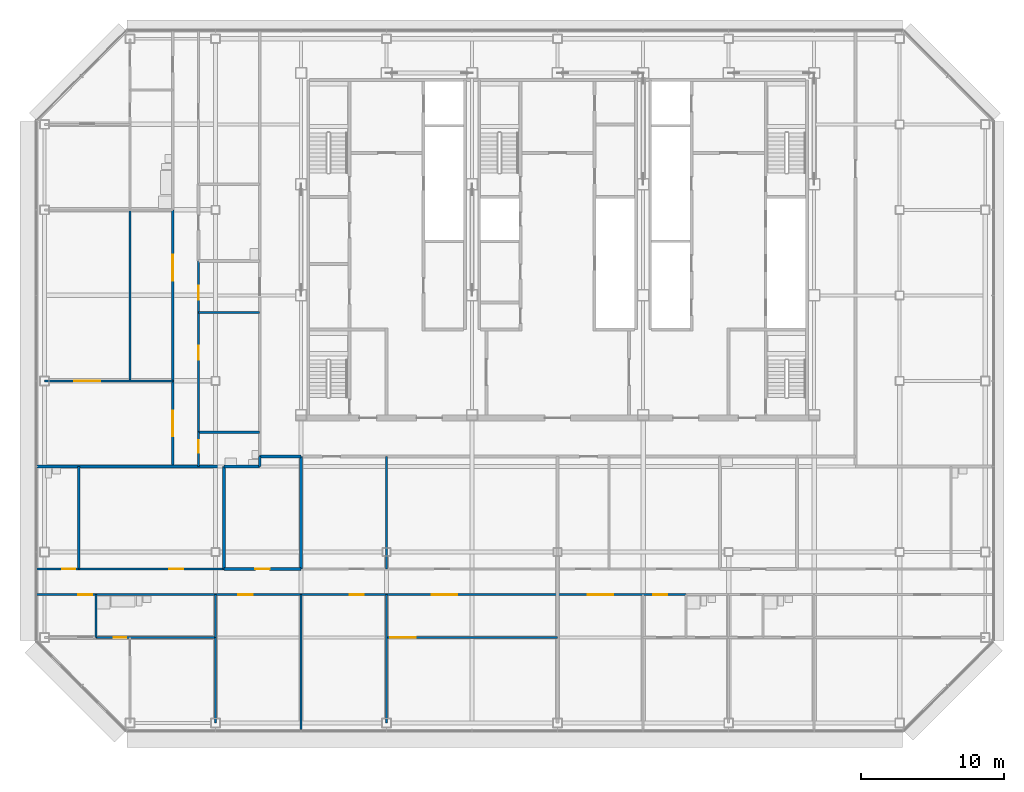
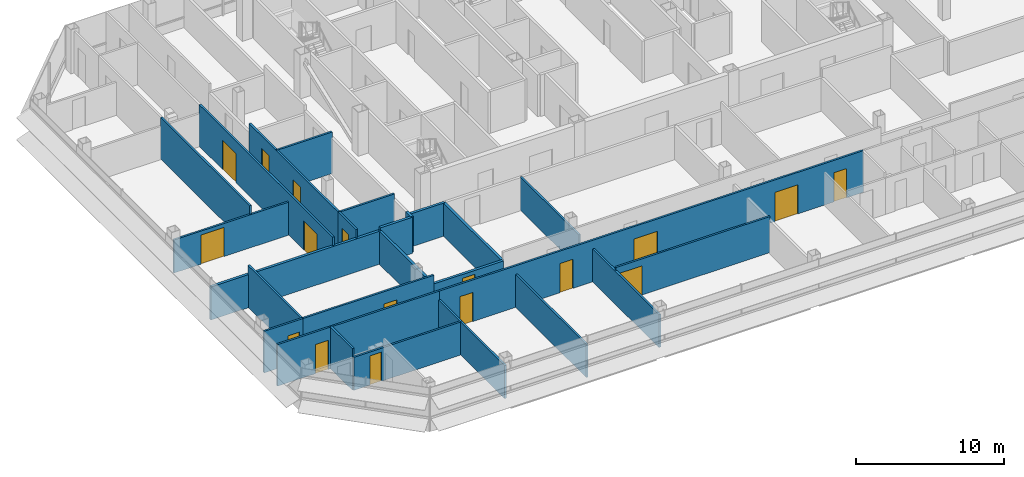
# One storey, part 20 of 27: 28 walls, 17 doors, 17 openings.
"""IFC4 building model written with IfcOpenShell, lengths in metres."""

import ifcopenshell
import ifcopenshell.guid

model = None  # the IFC model being written
_history = None  # IfcOwnerHistory: only IFC2X3 demands one
_inside = {}  # id of a spatial element -> (the spatial element, [elements in it])
_under = {}  # id of a project, library or spatial element -> (it, [spatial elements below it])
_declared = {}  # id of a project -> (the project, [libraries it declares])
_typed = {}  # id of a type object -> (the type object, [elements of that type])
_made_of = {}  # id of a material, layer set ... -> (it, [elements and type objects made of it])


def new_model(schema):
    """Start an empty IFC model of exactly this schema.

    Asked for "IFC4X3", IfcOpenShell would pick the latest addendum, in which some entities
    have other attributes; the version numbers below select the first issue.
    IFC2X3 requires an IfcOwnerHistory on every rooted entity: one is made here for all.
    """
    global model, _history
    if schema == "IFC4X3":
        model = ifcopenshell.file(schema_version=(4, 3, 0, 0))
    else:
        model = ifcopenshell.file(schema=schema)
    _inside.clear()
    _under.clear()
    _declared.clear()
    _typed.clear()
    _made_of.clear()
    _history = None
    if model.schema == "IFC2X3":
        org = make("IfcOrganization", Name="unknown")
        user = make(
            "IfcPersonAndOrganization",
            ThePerson=make("IfcPerson", FamilyName="unknown"),
            TheOrganization=org,
        )
        app = make(
            "IfcApplication",
            ApplicationDeveloper=org,
            Version="unknown",
            ApplicationFullName="unknown",
            ApplicationIdentifier="unknown",
        )
        _history = make(
            "IfcOwnerHistory",
            OwningUser=user,
            OwningApplication=app,
            ChangeAction="ADDED",
            CreationDate=0,
        )
    return model


def make(cls, **values):
    """One entity of the class cls with the attributes given. An attribute that is None is left unset."""
    return model.create_entity(
        cls, **{name: value for name, value in values.items() if value is not None}
    )


def rooted(cls, **values):
    """An entity with a GlobalId (a new one), such as an element, a storey or a relation."""
    return make(cls, GlobalId=ifcopenshell.guid.new(), OwnerHistory=_history, **values)


def si_unit(unit_type, name, prefix=None):
    """IfcSIUnit, for example si_unit("LENGTHUNIT", "METRE", prefix="MILLI")."""
    return make("IfcSIUnit", UnitType=unit_type, Prefix=prefix, Name=name)


def assignment(units):
    """IfcUnitAssignment: the units of a project."""
    return None if units is None else make("IfcUnitAssignment", Units=units)


def point(xyz):
    """IfcCartesianPoint."""
    return None if xyz is None else make("IfcCartesianPoint", Coordinates=xyz)


def direction(xyz):
    """IfcDirection."""
    return None if xyz is None else make("IfcDirection", DirectionRatios=xyz)


def frame(location, z_axis=None, x_axis=None):
    """IfcAxis2Placement3D, a coordinate frame: its origin and axes. An axis left out is left unset."""
    return make(
        "IfcAxis2Placement3D",
        Location=point(location),
        Axis=direction(z_axis),
        RefDirection=direction(x_axis),
    )


def frame_2d(location, x_axis=None):
    """IfcAxis2Placement2D, a coordinate frame in the plane: its origin and x axis."""
    return make(
        "IfcAxis2Placement2D", Location=point(location), RefDirection=direction(x_axis)
    )


def origin():
    """The frame at (0, 0, 0) with its axes left unset."""
    return frame((0.0, 0.0, 0.0))


def place(relative_to, where):
    """IfcLocalPlacement: puts the frame where relative to a parent placement (None: the world)."""
    return make(
        "IfcLocalPlacement", PlacementRelTo=relative_to, RelativePlacement=where
    )


def context(
    kind, dimensions, precision=None, world=None, true_north=None, identifier=None
):
    """IfcGeometricRepresentationContext, for example the 3D "Model" context."""
    return make(
        "IfcGeometricRepresentationContext",
        ContextIdentifier=identifier,
        ContextType=kind,
        CoordinateSpaceDimension=dimensions,
        Precision=precision,
        WorldCoordinateSystem=world,
        TrueNorth=true_north,
    )


def subcontext(parent, identifier, kind, view, scale=None):
    """IfcGeometricRepresentationSubContext, for example "Body" below "Model"."""
    return make(
        "IfcGeometricRepresentationSubContext",
        ContextIdentifier=identifier,
        ContextType=kind,
        ParentContext=parent,
        TargetScale=scale,
        TargetView=view,
    )


def project(units=None, contexts=None):
    """IfcProject with its units and contexts."""
    return rooted(
        "IfcProject",
        Name="project",
        RepresentationContexts=contexts,
        UnitsInContext=assignment(units),
    )


def spatial(cls, under=None, at=None, **own):
    """A site, building, storey or space (cls), placed at a placement, below another one or the project."""
    s = rooted(cls, ObjectPlacement=at, **own)
    if under is not None:
        _under.setdefault(under.id(), (under, []))[1].append(s)
    return s


def profile(cls, at=None, kind="AREA", **sizes):
    """A parametric profile (cls). Its sizes go by their IFC names, for example OverallWidth=200.0."""
    return make(cls, ProfileType=kind, Position=at, **sizes)


def rectangle(**sizes):
    """IfcRectangleProfileDef."""
    return profile("IfcRectangleProfileDef", **sizes)


def extrude(swept, where, along, depth):
    """IfcExtrudedAreaSolid: the profile swept, set in the frame where, extruded along a direction by depth."""
    return make(
        "IfcExtrudedAreaSolid",
        SweptArea=swept,
        Position=where,
        ExtrudedDirection=direction(along),
        Depth=depth,
    )


def shape(context_of_items, identifier, shape_type, items):
    """IfcShapeRepresentation: the items that make up one representation, for example the "Body"."""
    return make(
        "IfcShapeRepresentation",
        ContextOfItems=context_of_items,
        RepresentationIdentifier=identifier,
        RepresentationType=shape_type,
        Items=items,
    )


def material(Name=None, Category=None):
    """IfcMaterial."""
    return make("IfcMaterial", Name=Name, Category=Category)


def layer(
    of_material, thickness, ventilated=None, Name=None, Category=None, Priority=None
):
    """IfcMaterialLayer: one layer of a wall or slab, of a material (None: an air gap)."""
    return make(
        "IfcMaterialLayer",
        Material=of_material,
        LayerThickness=thickness,
        IsVentilated=ventilated,
        Name=Name,
        Category=Category,
        Priority=Priority,
    )


def layer_set(layers, Name=None):
    """IfcMaterialLayerSet."""
    return make("IfcMaterialLayerSet", MaterialLayers=layers, LayerSetName=Name)


def made_of(thing, what):
    """Note that an element or type object is made of a material, layer set ...; save() writes the relation."""
    if what is not None:
        _made_of.setdefault(what.id(), (what, []))[1].append(thing)
    return thing


def type_object(cls, material=None, **own):
    """A type object (cls), such as IfcWallType, which elements share."""
    return made_of(rooted(cls, **own), material)


def element(
    cls,
    number,
    at=None,
    inside=None,
    cuts=None,
    type_object=None,
    material=None,
    context=None,
    identifier="Body",
    shape_type=None,
    held_by="IfcProductDefinitionShape",
    body=None,
    shapes=None,
    **own,
):
    """One element of the class cls, such as IfcWall. Its Tag is "e" and its number.

    at: its placement. inside: the storey or other place that contains it. cuts: it is an
    opening in that element (IfcRelVoidsElement). A single representation is given by context,
    identifier, shape_type and body (its items); several are given by shapes. held_by: the class
    of the entity that holds the representations. save() writes the other relations.
    """
    e = rooted(cls, Tag="e%d" % number, ObjectPlacement=at, **own)
    if body is not None:
        shapes = [shape(context, identifier, shape_type, body)]
    if shapes is not None:
        e.Representation = make(held_by, Representations=shapes)
    if inside is not None:
        _inside.setdefault(inside.id(), (inside, []))[1].append(e)
    if cuts is not None:
        rooted(
            "IfcRelVoidsElement", RelatingBuildingElement=cuts, RelatedOpeningElement=e
        )
    if type_object is not None:
        _typed.setdefault(type_object.id(), (type_object, []))[1].append(e)
    return made_of(e, material)


def fill(opening, filler):
    """IfcRelFillsElement: the door or window that sits in an opening."""
    return rooted(
        "IfcRelFillsElement",
        RelatingOpeningElement=opening,
        RelatedBuildingElement=filler,
    )


def aggregate(whole, parts):
    """IfcRelAggregates: a whole, such as a stair, and the parts it consists of."""
    return rooted("IfcRelAggregates", RelatingObject=whole, RelatedObjects=parts)


def save(model, path):
    """Write the relations noted so far, then the file.

    IfcRelAggregates (storeys below a building ...), IfcRelContainedInSpatialStructure (elements
    in a storey), IfcRelDefinesByType, IfcRelAssociatesMaterial and IfcRelDeclares: one each for
    every whole, place, type object, material and project.
    """
    for whole, parts in _under.values():
        aggregate(whole, parts)
    for where, things in _inside.values():
        rooted(
            "IfcRelContainedInSpatialStructure",
            RelatedElements=things,
            RelatingStructure=where,
        )
    for kind, things in _typed.values():
        rooted("IfcRelDefinesByType", RelatedObjects=things, RelatingType=kind)
    for what, things in _made_of.values():
        rooted("IfcRelAssociatesMaterial", RelatedObjects=things, RelatingMaterial=what)
    for by, libraries in _declared.values():
        rooted("IfcRelDeclares", RelatingContext=by, RelatedDefinitions=libraries)
    model.write(path)


model = new_model("IFC4")

# Units and contexts
model_context = context("Model", 3, precision=1e-05, world=origin(), true_north=direction((0.0, 1.0)))
body_context = subcontext(model_context, "Body", "Model", "MODEL_VIEW")
ifc_project = project(units=[si_unit("LENGTHUNIT", "METRE"), si_unit("AREAUNIT", "SQUARE_METRE"), si_unit("VOLUMEUNIT", "CUBIC_METRE"), si_unit("PLANEANGLEUNIT", "RADIAN"), si_unit("MASSUNIT", "GRAM", prefix="KILO")], contexts=[model_context])

# Site, building, storey
site_placement = place(None, origin())
site = spatial("IfcSite", under=ifc_project, at=site_placement, CompositionType="ELEMENT")
building_placement = place(site_placement, origin())
building = spatial("IfcBuilding", under=site, at=building_placement, Name="Sorahane Residences", CompositionType="ELEMENT")
storey_placement = place(building_placement, frame((0.0, 0.0, 239.60009765625)))
storey = spatial("IfcBuildingStorey", under=building, at=storey_placement, Name="L56", CompositionType="ELEMENT", Elevation=239.60009765625)

# Walls
ifc_material_1 = material(Name="Concrete blockwork C20 wall", Category="masonry")
ifc_layer_1 = layer(ifc_material_1, 0.199951171875)
ifc_layer_set_1 = layer_set([ifc_layer_1], Name="Kitchen wall 200 EI 180")
wall_type_1 = type_object("IfcWallType", Name="Kitchen wall 200 EI 180", PredefinedType="SOLIDWALL", material=ifc_layer_set_1)
wall_1_placement = place(storey_placement, frame((0.60009765625, 10.800048828125, 0.0), z_axis=(0.0, 0.0, 1.0), x_axis=(0.0, 1.0, 0.0)))
element("IfcWall", 1, at=wall_1_placement, inside=storey, type_object=wall_type_1, Name="L56 kitchen wall", PredefinedType="SOLIDWALL", context=body_context, shape_type="SweptSolid", body=[
    extrude(rectangle(XDim=7.199951171875, YDim=0.199951171875, at=frame_2d((3.60009765625, 0.0))), origin(), (0.0, 0.0, 1.0), 2.719970703125),
])
wall_2_placement = place(storey_placement, frame((3.10009765625, 18.0, 0.0), z_axis=(0.0, 0.0, 1.0), x_axis=(0.0, 1.0, 0.0)))
element("IfcWall", 2, at=wall_2_placement, inside=storey, type_object=wall_type_1, Name="L56 kitchen wall", PredefinedType="SOLIDWALL", context=body_context, shape_type="SweptSolid", body=[
    extrude(rectangle(XDim=0.699951171875, YDim=0.199951171875, at=frame_2d((0.35009765625, 0.0))), origin(), (0.0, 0.0, 1.0), 2.969970703125),
])
wall_3_placement = place(storey_placement, frame((6.0, 10.800048828125, 0.0), z_axis=(0.0, 0.0, 1.0), x_axis=(0.0, 1.0, 0.0)))
element("IfcWall", 3, at=wall_3_placement, inside=storey, type_object=wall_type_1, Name="L56 kitchen wall", PredefinedType="SOLIDWALL", context=body_context, shape_type="SweptSolid", body=[
    extrude(rectangle(XDim=7.89990234375, YDim=0.199951171875, at=frame_2d((3.949951171875, 0.0))), origin(), (0.0, 0.0, 1.0), 2.719970703125),
])

# Wall, opening, door
wall_4_placement = place(storey_placement, frame((0.60009765625, 10.800048828125, 0.0), z_axis=(0.0, 0.0, 1.0), x_axis=(1.0, 0.0, 0.0)))
wall_4 = element("IfcWall", 4, at=wall_4_placement, inside=storey, type_object=wall_type_1, Name="L56 kitchen wall", PredefinedType="SOLIDWALL", context=body_context, shape_type="SweptSolid", body=[
    extrude(rectangle(XDim=5.39990234375, YDim=0.199951171875, at=frame_2d((2.699951171875, 0.0))), origin(), (0.0, 0.0, 1.0), 2.719970703125),
])
opening_1_placement = place(wall_4_placement, frame((2.199951171875, 0.0, 0.0)))
opening_1 = element("IfcOpeningElement", 5, at=opening_1_placement, cuts=wall_4, Name="Opening L56-04", PredefinedType="OPENING", context=body_context, shape_type="SweptSolid", body=[
    extrude(rectangle(XDim=1.0, YDim=2.39990234375, at=frame_2d((0.5, 1.199951171875))), frame((0.0, 0.10986328125, 0.0), z_axis=(0.0, -1.0, 0.0), x_axis=(1.0, 0.0, 0.0)), (0.0, 0.0, 1.0), 0.219970703125),
])
ifc_material_2 = material(Name="Steel", Category="steel")
door_type_1 = type_object("IfcDoorType", Name="Kitchen door 1000x2400 FD120", OperationType="NOTDEFINED", PredefinedType="DOOR", material=ifc_material_2)
door_1_placement = place(opening_1_placement, origin())
door_1 = element("IfcDoor", 6, at=door_1_placement, inside=storey, type_object=door_type_1, Name="Kitchen door L56-04", OperationType="SINGLE_SWING_RIGHT", OverallHeight=2.39990234375, OverallWidth=1.0, PredefinedType="DOOR", context=body_context, shape_type="SweptSolid", body=[
    extrude(rectangle(XDim=1.0, YDim=2.39990234375, at=frame_2d((0.5, 1.199951171875))), frame((0.0, 0.02490234375, 0.0), z_axis=(0.0, -1.0, 0.0), x_axis=(1.0, 0.0, 0.0)), (0.0, 0.0, 1.0), 0.050048828125),
])
fill(opening_1, door_1)

# Walls
wall_5_placement = place(storey_placement, frame((0.60009765625, 18.0, 0.0), z_axis=(0.0, 0.0, 1.0), x_axis=(1.0, 0.0, 0.0)))
element("IfcWall", 7, at=wall_5_placement, inside=storey, type_object=wall_type_1, Name="L56 kitchen wall", PredefinedType="SOLIDWALL", context=body_context, shape_type="SweptSolid", body=[
    extrude(rectangle(XDim=2.5, YDim=0.199951171875, at=frame_2d((1.25, 0.0))), origin(), (0.0, 0.0, 1.0), 2.969970703125),
])
wall_6_placement = place(storey_placement, frame((3.10009765625, 18.699951171875, 0.0), z_axis=(0.0, 0.0, 1.0), x_axis=(1.0, 0.0, 0.0)))
element("IfcWall", 8, at=wall_6_placement, inside=storey, type_object=wall_type_1, Name="L56 kitchen wall", PredefinedType="SOLIDWALL", context=body_context, shape_type="SweptSolid", body=[
    extrude(rectangle(XDim=2.89990234375, YDim=0.199951171875, at=frame_2d((1.449951171875, 0.0))), origin(), (0.0, 0.0, 1.0), 2.719970703125),
])

# Wall, openings, doors
ifc_material_3 = material(Name="Gypsum board partition on steel studs", Category="steel")
ifc_layer_2 = layer(ifc_material_3, 0.14990234375)
ifc_layer_set_2 = layer_set([ifc_layer_2], Name="Partition 150 EI 90")
wall_type_2 = type_object("IfcWallType", Name="Partition 150 EI 90", PredefinedType="PARTITIONING", material=ifc_layer_set_2)
wall_7_placement = place(storey_placement, frame((-1.199951171875, 20.39990234375, 0.0), z_axis=(0.0, 0.0, 1.0), x_axis=(0.0, 1.0, 0.0)))
wall_7 = element("IfcWall", 9, at=wall_7_placement, inside=storey, type_object=wall_type_2, Name="L56 partition", PredefinedType="PARTITIONING", context=body_context, shape_type="SweptSolid", body=[
    extrude(rectangle(XDim=12.0, YDim=0.14990234375, at=frame_2d((6.0, 0.0))), origin(), (0.0, 0.0, 1.0), 3.419921875),
])
opening_2_placement = place(wall_7_placement, frame((9.280029296875, 0.0, 0.0)))
opening_2 = element("IfcOpeningElement", 10, at=opening_2_placement, cuts=wall_7, Name="Opening L56-28", PredefinedType="OPENING", context=body_context, shape_type="SweptSolid", body=[
    extrude(rectangle(XDim=1.0, YDim=2.39990234375, at=frame_2d((0.5, 1.199951171875))), frame((0.0, 0.0849609375, 0.0), z_axis=(0.0, -1.0, 0.0), x_axis=(1.0, 0.0, 0.0)), (0.0, 0.0, 1.0), 0.169921875),
])
opening_3_placement = place(wall_7_placement, frame((5.080078125, 0.0, 0.0)))
opening_3 = element("IfcOpeningElement", 11, at=opening_3_placement, cuts=wall_7, Name="Opening L56-30", PredefinedType="OPENING", context=body_context, shape_type="SweptSolid", body=[
    extrude(rectangle(XDim=1.0, YDim=2.39990234375, at=frame_2d((0.5, 1.199951171875))), frame((0.0, 0.0849609375, 0.0), z_axis=(0.0, -1.0, 0.0), x_axis=(1.0, 0.0, 0.0)), (0.0, 0.0, 1.0), 0.169921875),
])
ifc_material_4 = material(Name="Timber veneered fire door", Category="wood")
door_type_2 = type_object("IfcDoorType", Name="Room door 1000x2400 FD30", OperationType="NOTDEFINED", PredefinedType="DOOR", material=ifc_material_4)
door_2_placement = place(opening_2_placement, origin())
door_2 = element("IfcDoor", 12, at=door_2_placement, inside=storey, type_object=door_type_2, Name="Room door L56-28", OperationType="SINGLE_SWING_LEFT", OverallHeight=2.39990234375, OverallWidth=1.0, PredefinedType="DOOR", context=body_context, shape_type="SweptSolid", body=[
    extrude(rectangle(XDim=1.0, YDim=2.39990234375, at=frame_2d((0.5, 1.199951171875))), frame((0.0, 0.02490234375, 0.0), z_axis=(0.0, -1.0, 0.0), x_axis=(1.0, 0.0, 0.0)), (0.0, 0.0, 1.0), 0.050048828125),
])
fill(opening_2, door_2)
door_3_placement = place(opening_3_placement, frame((1.0, 0.0, 0.0), z_axis=(0.0, 0.0, 1.0), x_axis=(-1.0, 0.0, 0.0)))
door_3 = element("IfcDoor", 13, at=door_3_placement, inside=storey, type_object=door_type_2, Name="Room door L56-30", OperationType="SINGLE_SWING_LEFT", OverallHeight=2.39990234375, OverallWidth=1.0, PredefinedType="DOOR", context=body_context, shape_type="SweptSolid", body=[
    extrude(rectangle(XDim=1.0, YDim=2.39990234375, at=frame_2d((0.5, 1.199951171875))), frame((0.0, 0.02490234375, 0.0), z_axis=(0.0, -1.0, 0.0), x_axis=(1.0, 0.0, 0.0)), (0.0, 0.0, 1.0), 0.050048828125),
])
fill(opening_3, door_3)

wall_8_placement = place(storey_placement, frame((-3.0, 18.0, 0.0), z_axis=(0.0, 0.0, 1.0), x_axis=(0.0, 1.0, 0.0)))
wall_8 = element("IfcWall", 14, at=wall_8_placement, inside=storey, type_object=wall_type_2, Name="L56 partition", PredefinedType="PARTITIONING", context=body_context, shape_type="SweptSolid", body=[
    extrude(rectangle(XDim=18.0, YDim=0.14990234375, at=frame_2d((9.0, 0.0))), origin(), (0.0, 0.0, 1.0), 3.419921875),
])
opening_4_placement = place(wall_8_placement, frame((2.10009765625, 0.0, 0.0)))
opening_4 = element("IfcOpeningElement", 15, at=opening_4_placement, cuts=wall_8, Name="Opening L56-33", PredefinedType="OPENING", context=body_context, shape_type="SweptSolid", body=[
    extrude(rectangle(XDim=1.800048828125, YDim=2.39990234375, at=frame_2d((0.89990234375, 1.199951171875))), frame((0.0, 0.0849609375, 0.0), z_axis=(0.0, -1.0, 0.0), x_axis=(1.0, 0.0, 0.0)), (0.0, 0.0, 1.0), 0.169921875),
])
opening_5_placement = place(wall_8_placement, frame((13.0400390625, 0.0, 0.0)))
opening_5 = element("IfcOpeningElement", 16, at=opening_5_placement, cuts=wall_8, Name="Opening L56-35", PredefinedType="OPENING", context=body_context, shape_type="SweptSolid", body=[
    extrude(rectangle(XDim=1.800048828125, YDim=2.39990234375, at=frame_2d((0.89990234375, 1.199951171875))), frame((0.0, 0.0849609375, 0.0), z_axis=(0.0, -1.0, 0.0), x_axis=(1.0, 0.0, 0.0)), (0.0, 0.0, 1.0), 0.169921875),
])
ifc_material_5 = material(Name="Timber veneered fire door", Category="wood")
door_type_3 = type_object("IfcDoorType", Name="Double door 1800x2400 FD30", OperationType="NOTDEFINED", PredefinedType="DOOR", material=ifc_material_5)
door_4_placement = place(opening_4_placement, origin())
door_4 = element("IfcDoor", 17, at=door_4_placement, inside=storey, type_object=door_type_3, Name="Double door L56-33", OperationType="SINGLE_SWING_LEFT", OverallHeight=2.39990234375, OverallWidth=1.800048828125, PredefinedType="DOOR", context=body_context, shape_type="SweptSolid", body=[
    extrude(rectangle(XDim=1.800048828125, YDim=2.39990234375, at=frame_2d((0.89990234375, 1.199951171875))), frame((0.0, 0.02490234375, 0.0), z_axis=(0.0, -1.0, 0.0), x_axis=(1.0, 0.0, 0.0)), (0.0, 0.0, 1.0), 0.050048828125),
])
fill(opening_4, door_4)
door_5_placement = place(opening_5_placement, origin())
door_5 = element("IfcDoor", 18, at=door_5_placement, inside=storey, type_object=door_type_3, Name="Double door L56-35", OperationType="SINGLE_SWING_RIGHT", OverallHeight=2.39990234375, OverallWidth=1.800048828125, PredefinedType="DOOR", context=body_context, shape_type="SweptSolid", body=[
    extrude(rectangle(XDim=1.800048828125, YDim=2.39990234375, at=frame_2d((0.89990234375, 1.199951171875))), frame((0.0, 0.02490234375, 0.0), z_axis=(0.0, -1.0, 0.0), x_axis=(1.0, 0.0, 0.0)), (0.0, 0.0, 1.0), 0.050048828125),
])
fill(opening_5, door_5)

# Walls
wall_9_placement = place(storey_placement, frame((-6.0, 24.0, 0.0), z_axis=(0.0, 0.0, 1.0), x_axis=(0.0, 1.0, 0.0)))
element("IfcWall", 19, at=wall_9_placement, inside=storey, type_object=wall_type_2, Name="L56 partition", PredefinedType="PARTITIONING", context=body_context, shape_type="SweptSolid", body=[
    extrude(rectangle(XDim=12.0, YDim=0.14990234375, at=frame_2d((6.0, 0.0))), origin(), (0.0, 0.0, 1.0), 3.419921875),
])
wall_10_placement = place(storey_placement, frame((0.0, 0.0, 0.0), z_axis=(0.0, 0.0, 1.0), x_axis=(0.0, 1.0, 0.0)))
element("IfcWall", 20, at=wall_10_placement, inside=storey, type_object=wall_type_2, Name="L56 partition", PredefinedType="PARTITIONING", context=body_context, shape_type="SweptSolid", body=[
    extrude(rectangle(XDim=6.0, YDim=0.14990234375, at=frame_2d((3.0, 0.0))), origin(), (0.0, 0.0, 1.0), 2.719970703125),
])
wall_11_placement = place(storey_placement, frame((12.0, 0.0, 0.0), z_axis=(0.0, 0.0, 1.0), x_axis=(0.0, 1.0, 0.0)))
element("IfcWall", 21, at=wall_11_placement, inside=storey, type_object=wall_type_2, Name="L56 partition", PredefinedType="PARTITIONING", context=body_context, shape_type="SweptSolid", body=[
    extrude(rectangle(XDim=9.0, YDim=0.14990234375, at=frame_2d((4.5, 0.0))), origin(), (0.0, 0.0, 1.0), 2.719970703125),
])
wall_12_placement = place(storey_placement, frame((12.0, 10.800048828125, 0.0), z_axis=(0.0, 0.0, 1.0), x_axis=(0.0, 1.0, 0.0)))
element("IfcWall", 22, at=wall_12_placement, inside=storey, type_object=wall_type_2, Name="L56 partition", PredefinedType="PARTITIONING", context=body_context, shape_type="SweptSolid", body=[
    extrude(rectangle(XDim=7.89990234375, YDim=0.14990234375, at=frame_2d((3.949951171875, 0.0))), origin(), (0.0, 0.0, 1.0), 2.719970703125),
])
wall_13_placement = place(storey_placement, frame((6.0, -0.60009765625, 0.0), z_axis=(0.0, 0.0, 1.0), x_axis=(0.0, 1.0, 0.0)))
element("IfcWall", 23, at=wall_13_placement, inside=storey, type_object=wall_type_2, Name="L56 partition", PredefinedType="PARTITIONING", context=body_context, shape_type="SweptSolid", body=[
    extrude(rectangle(XDim=9.60009765625, YDim=0.14990234375, at=frame_2d((4.800048828125, 0.0))), origin(), (0.0, 0.0, 1.0), 2.719970703125),
])

# Wall, opening, door
wall_14_placement = place(storey_placement, frame((-9.60009765625, 10.800048828125, 0.0), z_axis=(0.0, 0.0, 1.0), x_axis=(1.0, 0.0, 0.0)))
wall_14 = element("IfcWall", 24, at=wall_14_placement, inside=storey, type_object=wall_type_2, Name="L56 partition", PredefinedType="PARTITIONING", context=body_context, shape_type="SweptSolid", body=[
    extrude(rectangle(XDim=10.2001953125, YDim=0.14990234375, at=frame_2d((5.10009765625, 0.0))), origin(), (0.0, 0.0, 1.0), 3.419921875),
])
opening_6_placement = place(wall_14_placement, frame((6.340087890625, 0.0, 0.0)))
opening_6 = element("IfcOpeningElement", 25, at=opening_6_placement, cuts=wall_14, Name="Opening L56-03", PredefinedType="OPENING", context=body_context, shape_type="SweptSolid", body=[
    extrude(rectangle(XDim=1.0, YDim=2.39990234375, at=frame_2d((0.5, 1.199951171875))), frame((0.0, 0.0849609375, 0.0), z_axis=(0.0, -1.0, 0.0), x_axis=(1.0, 0.0, 0.0)), (0.0, 0.0, 1.0), 0.169921875),
])
door_6_placement = place(opening_6_placement, origin())
door_6 = element("IfcDoor", 26, at=door_6_placement, inside=storey, type_object=door_type_2, Name="Room door L56-03", OperationType="SINGLE_SWING_RIGHT", OverallHeight=2.39990234375, OverallWidth=1.0, PredefinedType="DOOR", context=body_context, shape_type="SweptSolid", body=[
    extrude(rectangle(XDim=1.0, YDim=2.39990234375, at=frame_2d((0.5, 1.199951171875))), frame((0.0, 0.02490234375, 0.0), z_axis=(0.0, -1.0, 0.0), x_axis=(1.0, 0.0, 0.0)), (0.0, 0.0, 1.0), 0.050048828125),
])
fill(opening_6, door_6)

wall_15_placement = place(storey_placement, frame((-12.0, 24.0, 0.0), z_axis=(0.0, 0.0, 1.0), x_axis=(1.0, 0.0, 0.0)))
wall_15 = element("IfcWall", 27, at=wall_15_placement, inside=storey, type_object=wall_type_2, Name="L56 partition", PredefinedType="PARTITIONING", context=body_context, shape_type="SweptSolid", body=[
    extrude(rectangle(XDim=9.0, YDim=0.14990234375, at=frame_2d((4.5, 0.0))), origin(), (0.0, 0.0, 1.0), 2.719970703125),
])
opening_7_placement = place(wall_15_placement, frame((2.10009765625, 0.0, 0.0)))
opening_7 = element("IfcOpeningElement", 28, at=opening_7_placement, cuts=wall_15, Name="Opening L56-34", PredefinedType="OPENING", context=body_context, shape_type="SweptSolid", body=[
    extrude(rectangle(XDim=1.800048828125, YDim=2.39990234375, at=frame_2d((0.89990234375, 1.199951171875))), frame((0.0, 0.0849609375, 0.0), z_axis=(0.0, -1.0, 0.0), x_axis=(1.0, 0.0, 0.0)), (0.0, 0.0, 1.0), 0.169921875),
])
door_7_placement = place(opening_7_placement, origin())
door_7 = element("IfcDoor", 29, at=door_7_placement, inside=storey, type_object=door_type_3, Name="Double door L56-34", OperationType="SINGLE_SWING_LEFT", OverallHeight=2.39990234375, OverallWidth=1.800048828125, PredefinedType="DOOR", context=body_context, shape_type="SweptSolid", body=[
    extrude(rectangle(XDim=1.800048828125, YDim=2.39990234375, at=frame_2d((0.89990234375, 1.199951171875))), frame((0.0, 0.02490234375, 0.0), z_axis=(0.0, -1.0, 0.0), x_axis=(1.0, 0.0, 0.0)), (0.0, 0.0, 1.0), 0.050048828125),
])
fill(opening_7, door_7)

# Wall
wall_16_placement = place(storey_placement, frame((-1.199951171875, 28.800048828125, 0.0), z_axis=(0.0, 0.0, 1.0), x_axis=(1.0, 0.0, 0.0)))
element("IfcWall", 30, at=wall_16_placement, inside=storey, type_object=wall_type_2, Name="L56 partition", PredefinedType="PARTITIONING", context=body_context, shape_type="SweptSolid", body=[
    extrude(rectangle(XDim=4.300048828125, YDim=0.14990234375, at=frame_2d((2.14990234375, 0.0))), origin(), (0.0, 0.0, 1.0), 3.419921875),
])

# Wall, opening, door
wall_17_placement = place(storey_placement, frame((12.0, 6.0, 0.0), z_axis=(0.0, 0.0, 1.0), x_axis=(1.0, 0.0, 0.0)))
wall_17 = element("IfcWall", 31, at=wall_17_placement, inside=storey, type_object=wall_type_2, Name="L56 partition", PredefinedType="PARTITIONING", context=body_context, shape_type="SweptSolid", body=[
    extrude(rectangle(XDim=12.0, YDim=0.14990234375, at=frame_2d((6.0, 0.0))), origin(), (0.0, 0.0, 1.0), 2.969970703125),
])
opening_8_placement = place(wall_17_placement, frame((0.25, 0.0, 0.0)))
opening_8 = element("IfcOpeningElement", 32, at=opening_8_placement, cuts=wall_17, Name="Opening L56-13", PredefinedType="OPENING", context=body_context, shape_type="SweptSolid", body=[
    extrude(rectangle(XDim=1.800048828125, YDim=2.39990234375, at=frame_2d((0.89990234375, 1.199951171875))), frame((0.0, 0.0849609375, 0.0), z_axis=(0.0, -1.0, 0.0), x_axis=(1.0, 0.0, 0.0)), (0.0, 0.0, 1.0), 0.169921875),
])
door_8_placement = place(opening_8_placement, frame((1.800048828125, 0.0, 0.0), z_axis=(0.0, 0.0, 1.0), x_axis=(-1.0, 0.0, 0.0)))
door_8 = element("IfcDoor", 33, at=door_8_placement, inside=storey, type_object=door_type_3, Name="Double door L56-13", OperationType="SINGLE_SWING_RIGHT", OverallHeight=2.39990234375, OverallWidth=1.800048828125, PredefinedType="DOOR", context=body_context, shape_type="SweptSolid", body=[
    extrude(rectangle(XDim=1.800048828125, YDim=2.39990234375, at=frame_2d((0.89990234375, 1.199951171875))), frame((0.0, 0.02490234375, 0.0), z_axis=(0.0, -1.0, 0.0), x_axis=(1.0, 0.0, 0.0)), (0.0, 0.0, 1.0), 0.050048828125),
])
fill(opening_8, door_8)

wall_18_placement = place(storey_placement, frame((-12.60009765625, 9.0, 0.0), z_axis=(0.0, 0.0, 1.0), x_axis=(1.0, 0.0, 0.0)))
wall_18 = element("IfcWall", 34, at=wall_18_placement, inside=storey, type_object=wall_type_2, Name="L56 partition", PredefinedType="PARTITIONING", context=body_context, shape_type="SweptSolid", body=[
    extrude(rectangle(XDim=4.2001953125, YDim=0.14990234375, at=frame_2d((2.10009765625, 0.0))), origin(), (0.0, 0.0, 1.0), 3.419921875),
])
opening_9_placement = place(wall_18_placement, frame((2.949951171875, 0.0, 0.0)))
opening_9 = element("IfcOpeningElement", 35, at=opening_9_placement, cuts=wall_18, Name="Opening L56-06", PredefinedType="OPENING", context=body_context, shape_type="SweptSolid", body=[
    extrude(rectangle(XDim=1.0, YDim=2.39990234375, at=frame_2d((0.5, 1.199951171875))), frame((0.0, 0.0849609375, 0.0), z_axis=(0.0, -1.0, 0.0), x_axis=(1.0, 0.0, 0.0)), (0.0, 0.0, 1.0), 0.169921875),
])
door_9_placement = place(opening_9_placement, frame((1.0, 0.0, 0.0), z_axis=(0.0, 0.0, 1.0), x_axis=(-1.0, 0.0, 0.0)))
door_9 = element("IfcDoor", 36, at=door_9_placement, inside=storey, type_object=door_type_2, Name="Room door L56-06", OperationType="SINGLE_SWING_LEFT", OverallHeight=2.39990234375, OverallWidth=1.0, PredefinedType="DOOR", context=body_context, shape_type="SweptSolid", body=[
    extrude(rectangle(XDim=1.0, YDim=2.39990234375, at=frame_2d((0.5, 1.199951171875))), frame((0.0, 0.02490234375, 0.0), z_axis=(0.0, -1.0, 0.0), x_axis=(1.0, 0.0, 0.0)), (0.0, 0.0, 1.0), 0.050048828125),
])
fill(opening_9, door_9)

# Wall, openings, doors
wall_19_placement = place(storey_placement, frame((0.0, 9.0, 0.0), z_axis=(0.0, 0.0, 1.0), x_axis=(1.0, 0.0, 0.0)))
wall_19 = element("IfcWall", 37, at=wall_19_placement, inside=storey, type_object=wall_type_2, Name="L56 partition", PredefinedType="PARTITIONING", context=body_context, shape_type="SweptSolid", body=[
    extrude(rectangle(XDim=33.0, YDim=0.14990234375, at=frame_2d((16.5, 0.0))), origin(), (0.0, 0.0, 1.0), 3.419921875),
])
opening_10_placement = place(wall_19_placement, frame((1.60009765625, 0.0, 0.0)))
opening_10 = element("IfcOpeningElement", 38, at=opening_10_placement, cuts=wall_19, Name="Opening L56-07", PredefinedType="OPENING", context=body_context, shape_type="SweptSolid", body=[
    extrude(rectangle(XDim=1.0, YDim=2.39990234375, at=frame_2d((0.5, 1.199951171875))), frame((0.0, 0.0849609375, 0.0), z_axis=(0.0, -1.0, 0.0), x_axis=(1.0, 0.0, 0.0)), (0.0, 0.0, 1.0), 0.169921875),
])
opening_11_placement = place(wall_19_placement, frame((9.39990234375, 0.0, 0.0)))
opening_11 = element("IfcOpeningElement", 39, at=opening_11_placement, cuts=wall_19, Name="Opening L56-08", PredefinedType="OPENING", context=body_context, shape_type="SweptSolid", body=[
    extrude(rectangle(XDim=1.0, YDim=2.39990234375, at=frame_2d((0.5, 1.199951171875))), frame((0.0, 0.0849609375, 0.0), z_axis=(0.0, -1.0, 0.0), x_axis=(1.0, 0.0, 0.0)), (0.0, 0.0, 1.0), 0.169921875),
])
opening_12_placement = place(wall_19_placement, frame((15.159912109375, 0.0, 0.0)))
opening_12 = element("IfcOpeningElement", 40, at=opening_12_placement, cuts=wall_19, Name="Opening L56-09", PredefinedType="OPENING", context=body_context, shape_type="SweptSolid", body=[
    extrude(rectangle(XDim=1.800048828125, YDim=2.39990234375, at=frame_2d((0.89990234375, 1.199951171875))), frame((0.0, 0.0849609375, 0.0), z_axis=(0.0, -1.0, 0.0), x_axis=(1.0, 0.0, 0.0)), (0.0, 0.0, 1.0), 0.169921875),
])
opening_13_placement = place(wall_19_placement, frame((26.10009765625, 0.0, 0.0)))
opening_13 = element("IfcOpeningElement", 41, at=opening_13_placement, cuts=wall_19, Name="Opening L56-19", PredefinedType="OPENING", context=body_context, shape_type="SweptSolid", body=[
    extrude(rectangle(XDim=1.800048828125, YDim=2.39990234375, at=frame_2d((0.89990234375, 1.199951171875))), frame((0.0, 0.0849609375, 0.0), z_axis=(0.0, -1.0, 0.0), x_axis=(1.0, 0.0, 0.0)), (0.0, 0.0, 1.0), 0.169921875),
])
opening_14_placement = place(wall_19_placement, frame((30.699951171875, 0.0, 0.0)))
opening_14 = element("IfcOpeningElement", 42, at=opening_14_placement, cuts=wall_19, Name="Opening L56-20", PredefinedType="OPENING", context=body_context, shape_type="SweptSolid", body=[
    extrude(rectangle(XDim=1.0, YDim=2.39990234375, at=frame_2d((0.5, 1.199951171875))), frame((0.0, 0.0849609375, 0.0), z_axis=(0.0, -1.0, 0.0), x_axis=(1.0, 0.0, 0.0)), (0.0, 0.0, 1.0), 0.169921875),
])
door_10_placement = place(opening_12_placement, frame((1.800048828125, 0.0, 0.0), z_axis=(0.0, 0.0, 1.0), x_axis=(-1.0, 0.0, 0.0)))
door_10 = element("IfcDoor", 43, at=door_10_placement, inside=storey, type_object=door_type_3, Name="Double door L56-09", OperationType="SINGLE_SWING_RIGHT", OverallHeight=2.39990234375, OverallWidth=1.800048828125, PredefinedType="DOOR", context=body_context, shape_type="SweptSolid", body=[
    extrude(rectangle(XDim=1.800048828125, YDim=2.39990234375, at=frame_2d((0.89990234375, 1.199951171875))), frame((0.0, 0.02490234375, 0.0), z_axis=(0.0, -1.0, 0.0), x_axis=(1.0, 0.0, 0.0)), (0.0, 0.0, 1.0), 0.050048828125),
])
fill(opening_12, door_10)
door_11_placement = place(opening_13_placement, frame((1.800048828125, 0.0, 0.0), z_axis=(0.0, 0.0, 1.0), x_axis=(-1.0, 0.0, 0.0)))
door_11 = element("IfcDoor", 44, at=door_11_placement, inside=storey, type_object=door_type_3, Name="Double door L56-19", OperationType="SINGLE_SWING_RIGHT", OverallHeight=2.39990234375, OverallWidth=1.800048828125, PredefinedType="DOOR", context=body_context, shape_type="SweptSolid", body=[
    extrude(rectangle(XDim=1.800048828125, YDim=2.39990234375, at=frame_2d((0.89990234375, 1.199951171875))), frame((0.0, 0.02490234375, 0.0), z_axis=(0.0, -1.0, 0.0), x_axis=(1.0, 0.0, 0.0)), (0.0, 0.0, 1.0), 0.050048828125),
])
fill(opening_13, door_11)
door_12_placement = place(opening_10_placement, frame((1.0, 0.0, 0.0), z_axis=(0.0, 0.0, 1.0), x_axis=(-1.0, 0.0, 0.0)))
door_12 = element("IfcDoor", 45, at=door_12_placement, inside=storey, type_object=door_type_2, Name="Room door L56-07", OperationType="SINGLE_SWING_LEFT", OverallHeight=2.39990234375, OverallWidth=1.0, PredefinedType="DOOR", context=body_context, shape_type="SweptSolid", body=[
    extrude(rectangle(XDim=1.0, YDim=2.39990234375, at=frame_2d((0.5, 1.199951171875))), frame((0.0, 0.02490234375, 0.0), z_axis=(0.0, -1.0, 0.0), x_axis=(1.0, 0.0, 0.0)), (0.0, 0.0, 1.0), 0.050048828125),
])
fill(opening_10, door_12)
door_13_placement = place(opening_11_placement, frame((1.0, 0.0, 0.0), z_axis=(0.0, 0.0, 1.0), x_axis=(-1.0, 0.0, 0.0)))
door_13 = element("IfcDoor", 46, at=door_13_placement, inside=storey, type_object=door_type_2, Name="Room door L56-08", OperationType="SINGLE_SWING_LEFT", OverallHeight=2.39990234375, OverallWidth=1.0, PredefinedType="DOOR", context=body_context, shape_type="SweptSolid", body=[
    extrude(rectangle(XDim=1.0, YDim=2.39990234375, at=frame_2d((0.5, 1.199951171875))), frame((0.0, 0.02490234375, 0.0), z_axis=(0.0, -1.0, 0.0), x_axis=(1.0, 0.0, 0.0)), (0.0, 0.0, 1.0), 0.050048828125),
])
fill(opening_11, door_13)
door_14_placement = place(opening_14_placement, frame((1.0, 0.0, 0.0), z_axis=(0.0, 0.0, 1.0), x_axis=(-1.0, 0.0, 0.0)))
door_14 = element("IfcDoor", 47, at=door_14_placement, inside=storey, type_object=door_type_2, Name="Room door L56-20", OperationType="SINGLE_SWING_RIGHT", OverallHeight=2.39990234375, OverallWidth=1.0, PredefinedType="DOOR", context=body_context, shape_type="SweptSolid", body=[
    extrude(rectangle(XDim=1.0, YDim=2.39990234375, at=frame_2d((0.5, 1.199951171875))), frame((0.0, 0.02490234375, 0.0), z_axis=(0.0, -1.0, 0.0), x_axis=(1.0, 0.0, 0.0)), (0.0, 0.0, 1.0), 0.050048828125),
])
fill(opening_14, door_14)

# Wall
ifc_material_6 = material(Name="Concrete blockwork C20 wall", Category="masonry")
ifc_layer_3 = layer(ifc_material_6, 0.199951171875)
ifc_layer_set_3 = layer_set([ifc_layer_3], Name="Party wall 200 EI 120")
wall_type_3 = type_object("IfcWallType", Name="Party wall 200 EI 120", PredefinedType="SOLIDWALL", material=ifc_layer_set_3)
wall_20_placement = place(storey_placement, frame((-12.60009765625, 18.0, 0.0), z_axis=(0.0, 0.0, 1.0), x_axis=(1.0, 0.0, 0.0)))
element("IfcWall", 48, at=wall_20_placement, inside=storey, type_object=wall_type_3, Name="L56 party wall", PredefinedType="SOLIDWALL", context=body_context, shape_type="SweptSolid", body=[
    extrude(rectangle(XDim=13.2001953125, YDim=0.199951171875, at=frame_2d((6.60009765625, 0.0))), origin(), (0.0, 0.0, 1.0), 2.719970703125),
])

# Wall, opening, door
ifc_material_7 = material(Name="Gypsum board partition on steel studs", Category="steel")
ifc_layer_4 = layer(ifc_material_7, 0.14990234375)
ifc_layer_set_4 = layer_set([ifc_layer_4], Name="Wet wall 150 EI 90")
wall_type_4 = type_object("IfcWallType", Name="Wet wall 150 EI 90", PredefinedType="PARTITIONING", material=ifc_layer_set_4)
wall_21_placement = place(storey_placement, frame((-1.199951171875, 18.0, 0.0), z_axis=(0.0, 0.0, 1.0), x_axis=(0.0, 1.0, 0.0)))
wall_21 = element("IfcWall", 49, at=wall_21_placement, inside=storey, type_object=wall_type_4, Name="L56 wet wall", PredefinedType="PARTITIONING", context=body_context, shape_type="SweptSolid", body=[
    extrude(rectangle(XDim=2.39990234375, YDim=0.14990234375, at=frame_2d((1.199951171875, 0.0))), origin(), (0.0, 0.0, 1.0), 3.419921875),
])
opening_15_placement = place(wall_21_placement, frame((0.949951171875, 0.0, 0.0)))
opening_15 = element("IfcOpeningElement", 50, at=opening_15_placement, cuts=wall_21, Name="Opening L56-29", PredefinedType="OPENING", context=body_context, shape_type="SweptSolid", body=[
    extrude(rectangle(XDim=0.89990234375, YDim=2.39990234375, at=frame_2d((0.449951171875, 1.199951171875))), frame((0.0, 0.0849609375, 0.0), z_axis=(0.0, -1.0, 0.0), x_axis=(1.0, 0.0, 0.0)), (0.0, 0.0, 1.0), 0.169921875),
])
ifc_material_8 = material(Name="Timber veneered fire door", Category="wood")
door_type_4 = type_object("IfcDoorType", Name="Bathroom door 900x2400 FD30", OperationType="NOTDEFINED", PredefinedType="DOOR", material=ifc_material_8)
door_15_placement = place(opening_15_placement, origin())
door_15 = element("IfcDoor", 51, at=door_15_placement, inside=storey, type_object=door_type_4, Name="Bathroom door L56-29", OperationType="SINGLE_SWING_RIGHT", OverallHeight=2.39990234375, OverallWidth=0.89990234375, PredefinedType="DOOR", context=body_context, shape_type="SweptSolid", body=[
    extrude(rectangle(XDim=0.89990234375, YDim=2.39990234375, at=frame_2d((0.449951171875, 1.199951171875))), frame((0.0, 0.02490234375, 0.0), z_axis=(0.0, -1.0, 0.0), x_axis=(1.0, 0.0, 0.0)), (0.0, 0.0, 1.0), 0.050048828125),
])
fill(opening_15, door_15)

# Walls
wall_22_placement = place(storey_placement, frame((-8.39990234375, 6.0, 0.0), z_axis=(0.0, 0.0, 1.0), x_axis=(0.0, 1.0, 0.0)))
element("IfcWall", 52, at=wall_22_placement, inside=storey, type_object=wall_type_4, Name="L56 wet wall", PredefinedType="PARTITIONING", context=body_context, shape_type="SweptSolid", body=[
    extrude(rectangle(XDim=3.0, YDim=0.14990234375, at=frame_2d((1.5, 0.0))), origin(), (0.0, 0.0, 1.0), 3.419921875),
])
wall_23_placement = place(storey_placement, frame((-9.60009765625, 10.800048828125, 0.0), z_axis=(0.0, 0.0, 1.0), x_axis=(0.0, 1.0, 0.0)))
element("IfcWall", 53, at=wall_23_placement, inside=storey, type_object=wall_type_4, Name="L56 wet wall", PredefinedType="PARTITIONING", context=body_context, shape_type="SweptSolid", body=[
    extrude(rectangle(XDim=7.199951171875, YDim=0.14990234375, at=frame_2d((3.60009765625, 0.0))), origin(), (0.0, 0.0, 1.0), 3.419921875),
])
wall_24_placement = place(storey_placement, frame((0.0, 6.0, 0.0), z_axis=(0.0, 0.0, 1.0), x_axis=(0.0, 1.0, 0.0)))
element("IfcWall", 54, at=wall_24_placement, inside=storey, type_object=wall_type_4, Name="L56 wet wall", PredefinedType="PARTITIONING", context=body_context, shape_type="SweptSolid", body=[
    extrude(rectangle(XDim=3.0, YDim=0.14990234375, at=frame_2d((1.5, 0.0))), origin(), (0.0, 0.0, 1.0), 2.719970703125),
])

# Wall, opening, door
wall_25_placement = place(storey_placement, frame((-12.60009765625, 10.800048828125, 0.0), z_axis=(0.0, 0.0, 1.0), x_axis=(1.0, 0.0, 0.0)))
wall_25 = element("IfcWall", 55, at=wall_25_placement, inside=storey, type_object=wall_type_4, Name="L56 wet wall", PredefinedType="PARTITIONING", context=body_context, shape_type="SweptSolid", body=[
    extrude(rectangle(XDim=3.0, YDim=0.14990234375, at=frame_2d((1.5, 0.0))), origin(), (0.0, 0.0, 1.0), 3.419921875),
])
opening_16_placement = place(wall_25_placement, frame((1.85009765625, 0.0, 0.0)))
opening_16 = element("IfcOpeningElement", 56, at=opening_16_placement, cuts=wall_25, Name="Opening L56-02", PredefinedType="OPENING", context=body_context, shape_type="SweptSolid", body=[
    extrude(rectangle(XDim=0.89990234375, YDim=2.39990234375, at=frame_2d((0.449951171875, 1.199951171875))), frame((0.0, 0.0849609375, 0.0), z_axis=(0.0, -1.0, 0.0), x_axis=(1.0, 0.0, 0.0)), (0.0, 0.0, 1.0), 0.169921875),
])
door_16_placement = place(opening_16_placement, frame((0.89990234375, 0.0, 0.0), z_axis=(0.0, 0.0, 1.0), x_axis=(-1.0, 0.0, 0.0)))
door_16 = element("IfcDoor", 57, at=door_16_placement, inside=storey, type_object=door_type_4, Name="Bathroom door L56-02", OperationType="SINGLE_SWING_RIGHT", OverallHeight=2.39990234375, OverallWidth=0.89990234375, PredefinedType="DOOR", context=body_context, shape_type="SweptSolid", body=[
    extrude(rectangle(XDim=0.89990234375, YDim=2.39990234375, at=frame_2d((0.449951171875, 1.199951171875))), frame((0.0, 0.02490234375, 0.0), z_axis=(0.0, -1.0, 0.0), x_axis=(1.0, 0.0, 0.0)), (0.0, 0.0, 1.0), 0.050048828125),
])
fill(opening_16, door_16)

# Wall
wall_26_placement = place(storey_placement, frame((-1.199951171875, 20.39990234375, 0.0), z_axis=(0.0, 0.0, 1.0), x_axis=(1.0, 0.0, 0.0)))
element("IfcWall", 58, at=wall_26_placement, inside=storey, type_object=wall_type_4, Name="L56 wet wall", PredefinedType="PARTITIONING", context=body_context, shape_type="SweptSolid", body=[
    extrude(rectangle(XDim=4.300048828125, YDim=0.14990234375, at=frame_2d((2.14990234375, 0.0))), origin(), (0.0, 0.0, 1.0), 3.419921875),
])

# Wall, opening, door
wall_27_placement = place(storey_placement, frame((-8.39990234375, 6.0, 0.0), z_axis=(0.0, 0.0, 1.0), x_axis=(1.0, 0.0, 0.0)))
wall_27 = element("IfcWall", 59, at=wall_27_placement, inside=storey, type_object=wall_type_4, Name="L56 wet wall", PredefinedType="PARTITIONING", context=body_context, shape_type="SweptSolid", body=[
    extrude(rectangle(XDim=8.39990234375, YDim=0.14990234375, at=frame_2d((4.199951171875, 0.0))), origin(), (0.0, 0.0, 1.0), 2.719970703125),
])
opening_17_placement = place(wall_27_placement, frame((1.25, 0.0, 0.0)))
opening_17 = element("IfcOpeningElement", 60, at=opening_17_placement, cuts=wall_27, Name="Opening L56-12", PredefinedType="OPENING", context=body_context, shape_type="SweptSolid", body=[
    extrude(rectangle(XDim=0.89990234375, YDim=2.39990234375, at=frame_2d((0.449951171875, 1.199951171875))), frame((0.0, 0.0849609375, 0.0), z_axis=(0.0, -1.0, 0.0), x_axis=(1.0, 0.0, 0.0)), (0.0, 0.0, 1.0), 0.169921875),
])
door_17_placement = place(opening_17_placement, frame((0.89990234375, 0.0, 0.0), z_axis=(0.0, 0.0, 1.0), x_axis=(-1.0, 0.0, 0.0)))
door_17 = element("IfcDoor", 61, at=door_17_placement, inside=storey, type_object=door_type_4, Name="Bathroom door L56-12", OperationType="SINGLE_SWING_LEFT", OverallHeight=2.39990234375, OverallWidth=0.89990234375, PredefinedType="DOOR", context=body_context, shape_type="SweptSolid", body=[
    extrude(rectangle(XDim=0.89990234375, YDim=2.39990234375, at=frame_2d((0.449951171875, 1.199951171875))), frame((0.0, 0.02490234375, 0.0), z_axis=(0.0, -1.0, 0.0), x_axis=(1.0, 0.0, 0.0)), (0.0, 0.0, 1.0), 0.050048828125),
])
fill(opening_17, door_17)

# Wall
wall_28_placement = place(storey_placement, frame((-8.39990234375, 9.0, 0.0), z_axis=(0.0, 0.0, 1.0), x_axis=(1.0, 0.0, 0.0)))
element("IfcWall", 62, at=wall_28_placement, inside=storey, type_object=wall_type_4, Name="L56 wet wall", PredefinedType="PARTITIONING", context=body_context, shape_type="SweptSolid", body=[
    extrude(rectangle(XDim=8.39990234375, YDim=0.14990234375, at=frame_2d((4.199951171875, 0.0))), origin(), (0.0, 0.0, 1.0), 3.419921875),
])

save(model, "model.ifc")
